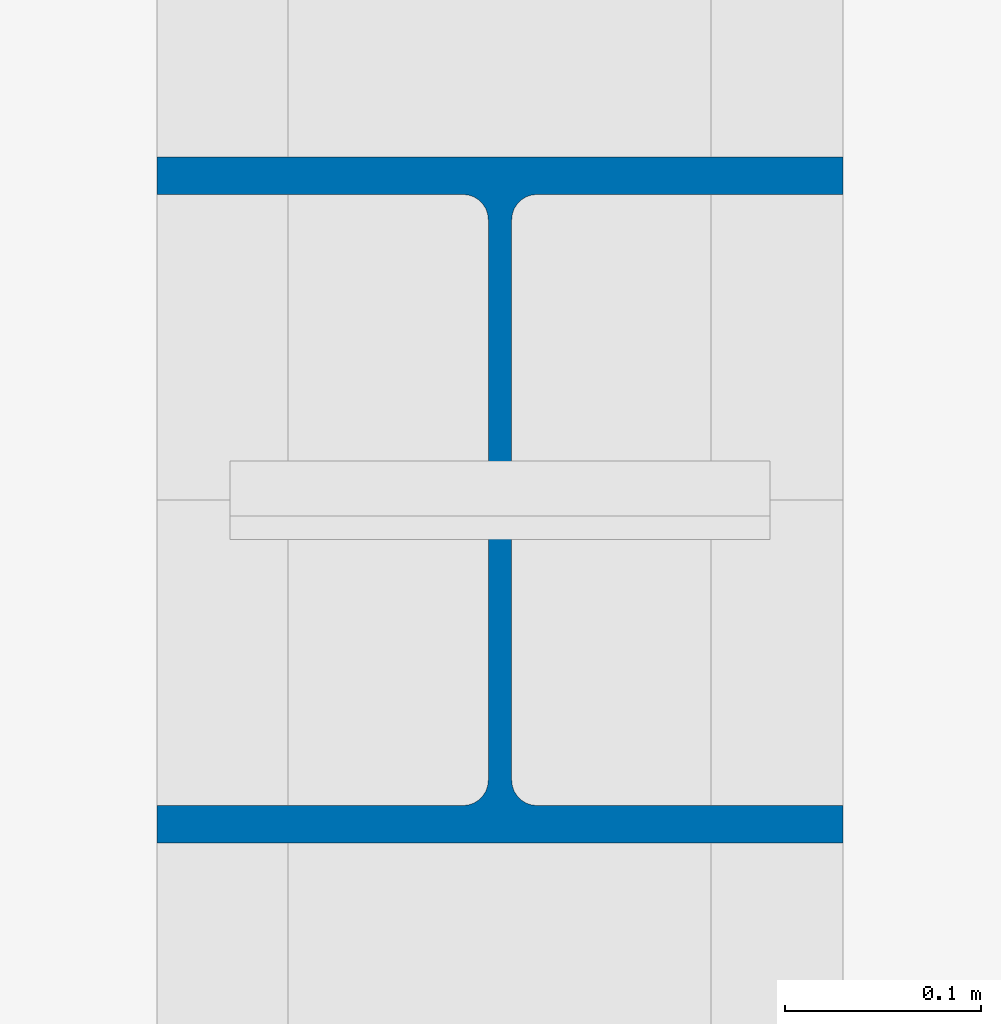
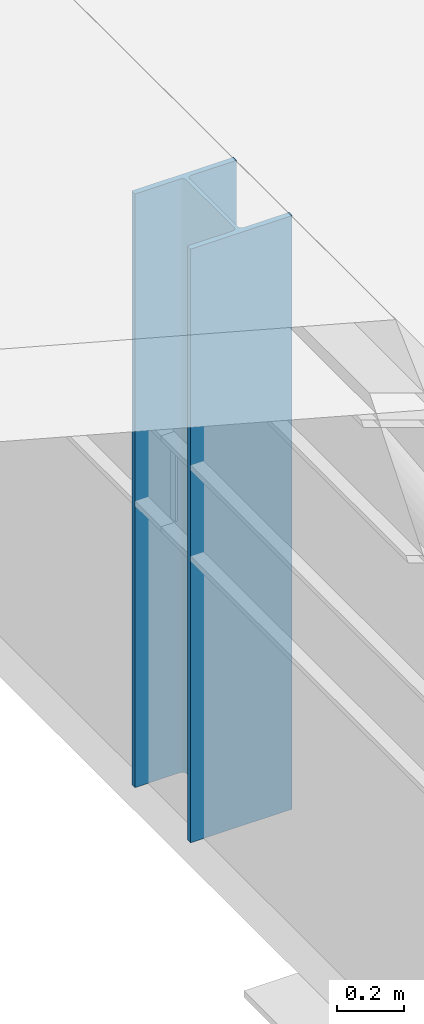
# One storey, part 3 of 77: 1 column.
"""IFC4 building model written with IfcOpenShell, lengths in metres."""

from ifc_helpers import new_model, si_unit, direction, frame, origin, origin_2d, place, context, subcontext, project, spatial, i_section, extrude, material, material_profile, profile_set, type_object, element, save


model = new_model("IFC4")

# Units and contexts
model_context = context("Model", 3, precision=1e-05, world=origin(), true_north=direction((0.0, 1.0)))
body_context = subcontext(model_context, "Body", "Model", "MODEL_VIEW")
ifc_project = project(units=[si_unit("LENGTHUNIT", "METRE"), si_unit("AREAUNIT", "SQUARE_METRE"), si_unit("VOLUMEUNIT", "CUBIC_METRE"), si_unit("PLANEANGLEUNIT", "RADIAN"), si_unit("MASSUNIT", "GRAM", prefix="KILO")], contexts=[model_context])

# Site, building, storey
site_placement = place(None, origin())
site = spatial("IfcSite", under=ifc_project, at=site_placement, CompositionType="ELEMENT")
building_placement = place(site_placement, origin())
building = spatial("IfcBuilding", under=site, at=building_placement, Name="Larkvane Passage Sports Hall", CompositionType="ELEMENT")
storey_placement = place(building_placement, frame((0.0, 0.0, 22.199951171875)))
storey = spatial("IfcBuildingStorey", under=building, at=storey_placement, Name="RF", CompositionType="ELEMENT", Elevation=22.199951171875)

# Column
ifc_material = material(Name="Steel S355JR", Category="steel")
ifc_material_profile = material_profile(ifc_material, i_section(OverallWidth=0.35009765625, OverallDepth=0.35009765625, WebThickness=0.011962890625, FlangeThickness=0.01904296875, FilletRadius=0.012939453125, at=origin_2d()), Name="H-350x350x12x19")
ifc_profile_set = profile_set([ifc_material_profile], Name="Steel S355JR")
column_type = type_object("IfcColumnType", Name="COL-STL-H350", PredefinedType="COLUMN", material=ifc_profile_set)
column_placement = place(storey_placement, frame((34.800048828125, 91.60009765625, 0.0), z_axis=(0.0, 0.0, 1.0), x_axis=(1.0, 0.0, 0.0)))
element("IfcColumn", 1, at=column_placement, inside=storey, type_object=column_type, Name="Northwest hall roof support column COL5-RF-6-L", PredefinedType="COLUMN", context=body_context, shape_type="SweptSolid", body=[
    extrude(i_section(OverallWidth=0.35009765625, OverallDepth=0.35009765625, WebThickness=0.011962890625, FlangeThickness=0.01904296875, FilletRadius=0.012939453125, at=origin_2d()), origin(), (0.0, 0.0, 1.0), 2.16015625),
])

save(model, "model.ifc")
